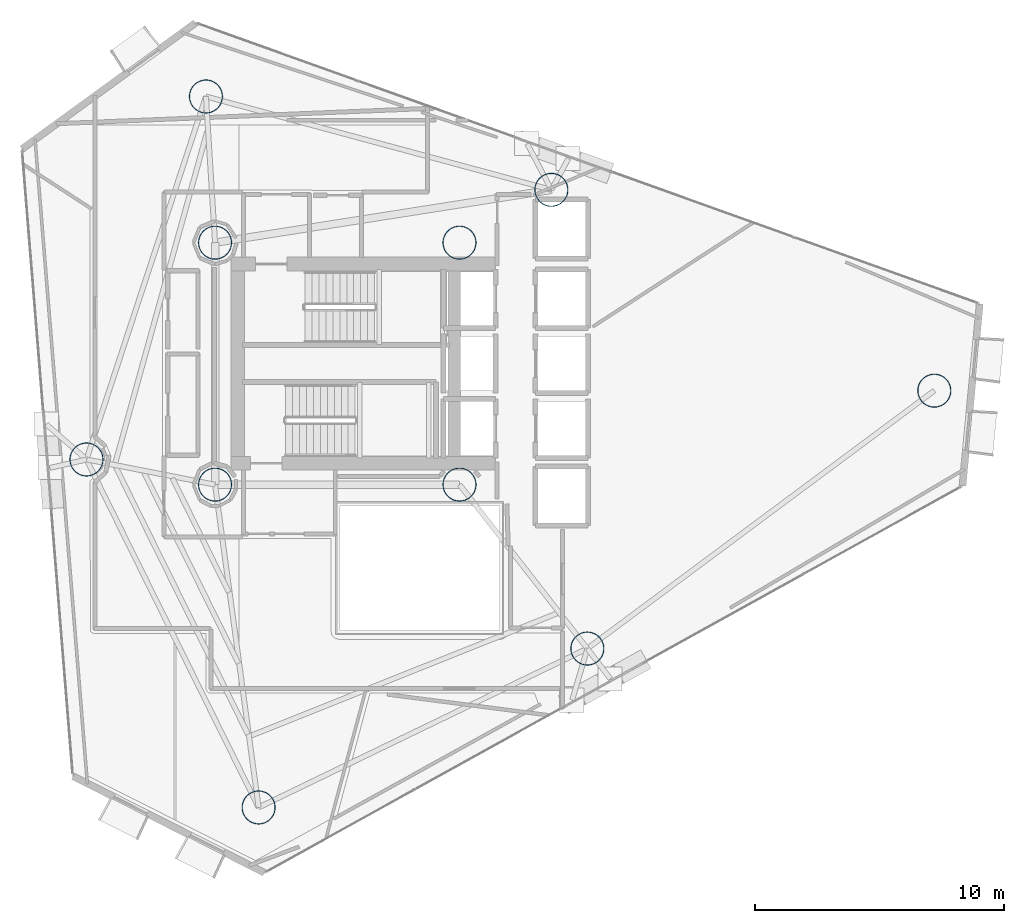
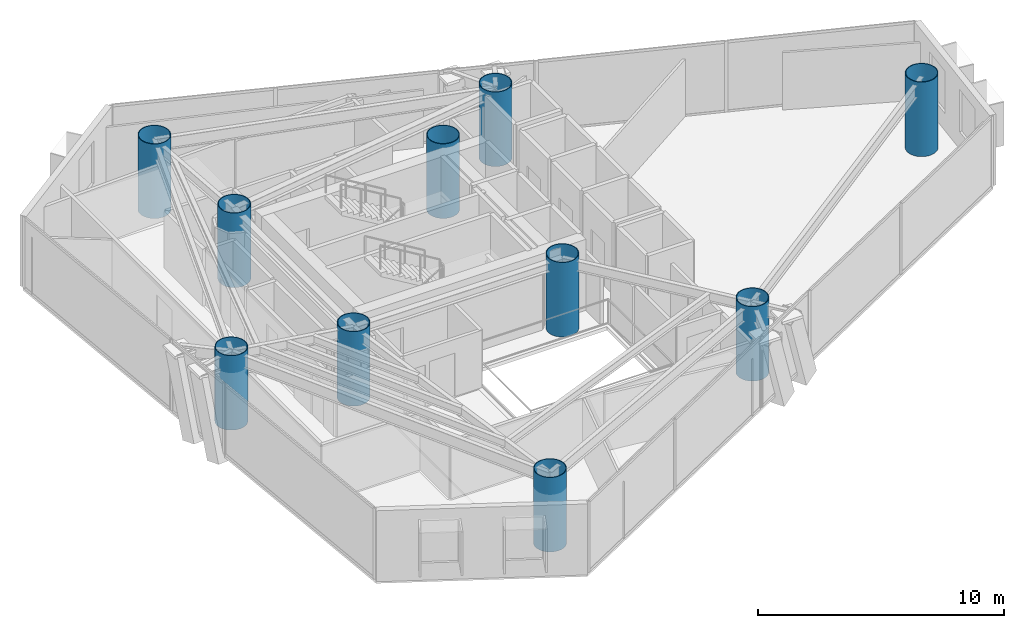
# One storey, part 1 of 21: 10 columns.
"""IFC4 building model written with IfcOpenShell, lengths in metres."""

from ifc_helpers import new_model, si_unit, direction, frame, origin, origin_2d, place, context, subcontext, project, spatial, hollow_circle, extrude, material, material_profile, profile_set, type_object, element, save


model = new_model("IFC4")

# Units and contexts
model_context = context("Model", 3, precision=1e-05, world=origin(), true_north=direction((0.0, 1.0)))
body_context = subcontext(model_context, "Body", "Model", "MODEL_VIEW")
ifc_project = project(units=[si_unit("LENGTHUNIT", "METRE"), si_unit("AREAUNIT", "SQUARE_METRE"), si_unit("VOLUMEUNIT", "CUBIC_METRE"), si_unit("PLANEANGLEUNIT", "RADIAN"), si_unit("MASSUNIT", "GRAM", prefix="KILO")], contexts=[model_context])

# Site, building, storey
site_placement = place(None, origin())
site = spatial("IfcSite", under=ifc_project, at=site_placement, CompositionType="ELEMENT")
building_placement = place(site_placement, origin())
building = spatial("IfcBuilding", under=site, at=building_placement, Name="Qianvela Tower", CompositionType="ELEMENT")
storey_placement = place(building_placement, frame((0.0, 0.0, 166.10009765625)))
storey = spatial("IfcBuildingStorey", under=building, at=storey_placement, Name="L42", CompositionType="ELEMENT", Elevation=166.10009765625)

# Columns
ifc_material = material(Name="Steel Q420GJC", Category="steel")
ifc_material_profile = material_profile(ifc_material, hollow_circle(Radius=0.675048828125, WallThickness=0.031982421875, at=origin_2d()), Name="CFT-1350x32")
ifc_profile_set = profile_set([ifc_material_profile], Name="Steel Q420GJC")
column_type = type_object("IfcColumnType", Name="COL-CFT-1350x32", PredefinedType="COLUMN", material=ifc_profile_set)
for number, where, z_axis, x_axis, name in (
    (1, (28.60009765625, 33.550048828125, 0.0), (0.0, 0.0, 1.0), (1.0, 0.0, 0.0), "L42 Core Corner Mega-Column CC-NW"),
    (2, (28.60009765625, 23.85009765625, 0.0), (0.0, 0.0, 1.0), (1.0, 0.0, 0.0), "L42 Core Corner Mega-Column CC-SW"),
    (3, (38.39990234375, 33.550048828125, 0.0), (0.0, 0.0, 1.0), (1.0, 0.0, 0.0), "L42 Core Corner Mega-Column CC-NE"),
    (4, (38.39990234375, 23.85009765625, 0.0), (0.0, 0.0, 1.0), (1.0, 0.0, 0.0), "L42 Core Corner Mega-Column CC-SE"),
    (5, (57.43408203125, 27.617919921875, 0.0), (0.0, 0.0, 1.0), (1.0, 0.0, 0.0), "L42 Zone Z4 CFT Mega-Column C1"),
    (6, (42.0830078125, 35.6689453125, 0.0), (0.0, 0.0, 1.0), (1.0, 0.0, 0.0), "L42 Zone Z4 CFT Mega-Column C2"),
    (7, (28.235107421875, 39.410888671875, 0.0), (0.0, 0.0, 1.0), (1.0, 0.0, 0.0), "L42 Zone Z4 CFT Mega-Column C3"),
    (8, (23.446044921875, 24.85888671875, 0.0), (0.0, 0.0, 1.0), (1.0, 0.0, 0.0), "L42 Zone Z4 CFT Mega-Column C4"),
    (9, (30.346923828125, 10.908935546875, 0.0), (0.0, 0.0, 1.0), (1.0, 0.0, 0.0), "L42 Zone Z4 CFT Mega-Column C5"),
    (10, (43.52490234375, 17.279052734375, 0.0), (0.0, 0.0, 1.0), (1.0, 0.0, 0.0), "L42 Zone Z4 CFT Mega-Column C6"),
):
    element("IfcColumn", number, at=place(storey_placement, frame(where, z_axis=z_axis, x_axis=x_axis)), inside=storey, type_object=column_type, Name=name, PredefinedType="COLUMN", context=body_context, shape_type="SweptSolid", body=[
        extrude(hollow_circle(Radius=0.675048828125, WallThickness=0.031982421875, at=origin_2d()), origin(), (0.0, 0.0, 1.0), 3.699951171875),
    ])

save(model, "model.ifc")
